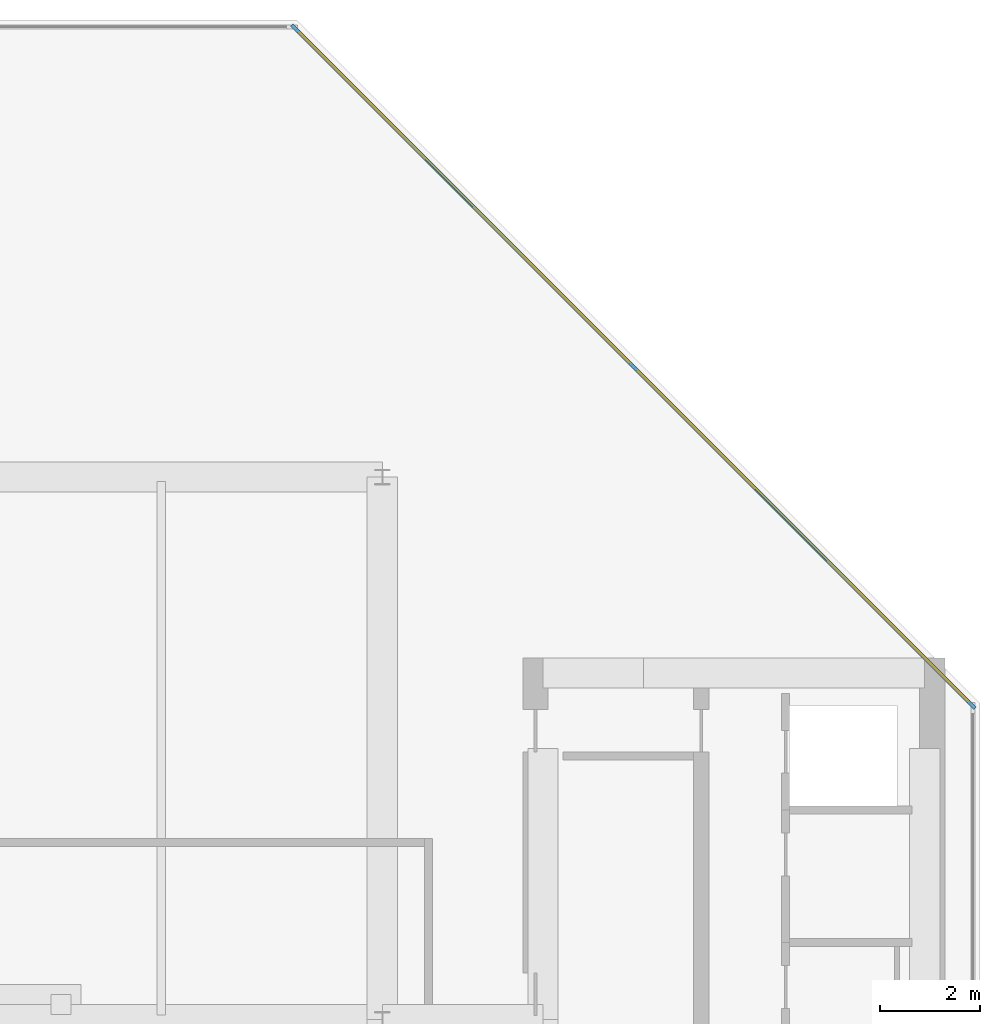
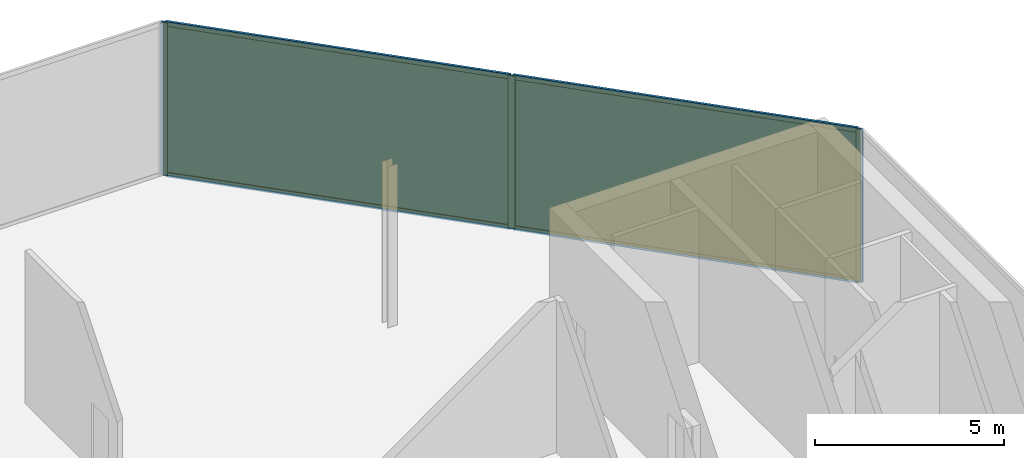
# One storey, part 11 of 14: 7 members, 2 plates, 1 curtain wall.
"""IFC4 building model written with IfcOpenShell, lengths in metres."""

from ifc_helpers import new_model, si_unit, direction, frame, frame_2d, origin, origin_2d, place, context, subcontext, project, spatial, rectangle, extrude, material, layer, layer_set, material_profile, profile_set, type_object, element, aggregate, save


model = new_model("IFC4")

# Units and contexts
model_context = context("Model", 3, precision=1e-05, world=origin(), true_north=direction((0.0, 1.0)))
body_context = subcontext(model_context, "Body", "Model", "MODEL_VIEW")
ifc_project = project(units=[si_unit("LENGTHUNIT", "METRE"), si_unit("AREAUNIT", "SQUARE_METRE"), si_unit("VOLUMEUNIT", "CUBIC_METRE"), si_unit("PLANEANGLEUNIT", "RADIAN"), si_unit("MASSUNIT", "GRAM", prefix="KILO")], contexts=[model_context])

# Member
ifc_material_1 = material(Name="Anodised Bronze Aluminium 6063-T6", Category="aluminium")
ifc_material_profile_1 = material_profile(ifc_material_1, rectangle(XDim=0.070068359375, YDim=0.18994140625, at=origin_2d()))
ifc_profile_set_1 = profile_set([ifc_material_profile_1], Name="Anodised Bronze Aluminium 6063-T6")
member_type_1 = type_object("IfcMemberType", Name="CW-SLC Mullion 70x190", PredefinedType="MULLION", material=ifc_profile_set_1)
site_placement = place(None, origin())
building_placement = place(site_placement, origin())
storey_placement = place(building_placement, frame((0.0, 0.0, 325.199951171875)))
member_1_placement = place(storey_placement, frame((7.466796875, 19.7353515625, 0.0), z_axis=(0.0, 0.0, 1.0), x_axis=(0.707106781187, 0.707106781187, 0.0)))
member_1 = element("IfcMember", 1, at=member_1_placement, type_object=member_type_1, Name="CW-SLC mullion 1", PredefinedType="MULLION", context=body_context, shape_type="SweptSolid", body=[
    extrude(rectangle(XDim=0.070068359375, YDim=0.18994140625, at=origin_2d()), origin(), (0.0, 0.0, 1.0), 4.93994140625),
])

member_2_placement = place(storey_placement, frame((14.200927734375, 13.0009765625, 0.0), z_axis=(0.0, 0.0, 1.0), x_axis=(0.707106781187, 0.707106781187, 0.0)))
member_2 = element("IfcMember", 2, at=member_2_placement, type_object=member_type_1, Name="CW-SLC mullion 2", PredefinedType="MULLION", context=body_context, shape_type="SweptSolid", body=[
    extrude(rectangle(XDim=0.070068359375, YDim=0.18994140625, at=origin_2d()), origin(), (0.0, 0.0, 1.0), 4.93994140625),
])

member_3_placement = place(storey_placement, frame((20.935302734375, 6.266845703125, 0.0), z_axis=(0.0, 0.0, 1.0), x_axis=(0.707106781187, 0.707106781187, 0.0)))
member_3 = element("IfcMember", 3, at=member_3_placement, type_object=member_type_1, Name="CW-SLC mullion 3", PredefinedType="MULLION", context=body_context, shape_type="SweptSolid", body=[
    extrude(rectangle(XDim=0.070068359375, YDim=0.18994140625, at=origin_2d()), origin(), (0.0, 0.0, 1.0), 4.93994140625),
])

ifc_material_2 = material(Name="Anodised Bronze Aluminium 6063-T6", Category="aluminium")
ifc_material_profile_2 = material_profile(ifc_material_2, rectangle(XDim=0.070068359375, YDim=0.14990234375, at=origin_2d()))
ifc_profile_set_2 = profile_set([ifc_material_profile_2], Name="Anodised Bronze Aluminium 6063-T6")
member_type_2 = type_object("IfcMemberType", Name="CW-SLC Transom 70x150", PredefinedType="USERDEFINED", material=ifc_profile_set_2)
member_4_placement = place(storey_placement, frame((7.491455078125, 19.71044921875, 0.03515625), z_axis=(0.707106781187, -0.707106781187, 0.0), x_axis=(0.707106781187, 0.707106781187, 0.0)))
member_4 = element("IfcMember", 4, at=member_4_placement, type_object=member_type_2, Name="CW-SLC transom 1.1", ObjectType="TRANSOM", PredefinedType="USERDEFINED", context=body_context, shape_type="SweptSolid", body=[
    extrude(rectangle(XDim=0.070068359375, YDim=0.14990234375, at=origin_2d()), origin(), (0.0, 0.0, 1.0), 9.453857421875),
])

member_5_placement = place(storey_placement, frame((7.491455078125, 19.71044921875, 4.905029296875), z_axis=(0.707106781187, -0.707106781187, 0.0), x_axis=(0.707106781187, 0.707106781187, 0.0)))
member_5 = element("IfcMember", 5, at=member_5_placement, type_object=member_type_2, Name="CW-SLC transom 1.2", ObjectType="TRANSOM", PredefinedType="USERDEFINED", context=body_context, shape_type="SweptSolid", body=[
    extrude(rectangle(XDim=0.070068359375, YDim=0.14990234375, at=origin_2d()), origin(), (0.0, 0.0, 1.0), 9.453857421875),
])

member_6_placement = place(storey_placement, frame((14.225830078125, 12.976318359375, 0.03515625), z_axis=(0.707093868471, -0.707119693667, 0.0), x_axis=(0.707119693667, 0.707093868471, 0.0)))
member_6 = element("IfcMember", 6, at=member_6_placement, type_object=member_type_2, Name="CW-SLC transom 2.1", ObjectType="TRANSOM", PredefinedType="USERDEFINED", context=body_context, shape_type="SweptSolid", body=[
    extrude(rectangle(XDim=0.070068359375, YDim=0.14990234375, at=origin_2d()), origin(), (0.0, 0.0, 1.0), 9.45361328125),
])

member_7_placement = place(storey_placement, frame((14.225830078125, 12.976318359375, 4.905029296875), z_axis=(0.707093868471, -0.707119693667, 0.0), x_axis=(0.707119693667, 0.707093868471, 0.0)))
member_7 = element("IfcMember", 7, at=member_7_placement, type_object=member_type_2, Name="CW-SLC transom 2.2", ObjectType="TRANSOM", PredefinedType="USERDEFINED", context=body_context, shape_type="SweptSolid", body=[
    extrude(rectangle(XDim=0.070068359375, YDim=0.14990234375, at=origin_2d()), origin(), (0.0, 0.0, 1.0), 9.45361328125),
])

# Plate
ifc_material_3 = material(Name="Low-E Solar Control Laminated Glass", Category="glass")
ifc_layer_1 = layer(ifc_material_3, 0.033935546875, Name="Low-E Solar Control Laminated Glass")
ifc_layer_set_1 = layer_set([ifc_layer_1], Name="Low-E Solar Control Laminated Glass")
plate_type = type_object("IfcPlateType", Name="CW-SLC Low-E Double Glazed Panel 34mm", PredefinedType="CURTAIN_PANEL", material=ifc_layer_set_1)
plate_1_placement = place(storey_placement, frame((10.833984375, 16.3681640625, 0.06982421875), z_axis=(0.0, 0.0, 1.0), x_axis=(0.707106781187, -0.707106781187, 0.0)))
plate_1 = element("IfcPlate", 8, at=plate_1_placement, type_object=plate_type, Name="CW-SLC panel 1.1", PredefinedType="CURTAIN_PANEL", context=body_context, shape_type="SweptSolid", body=[
    extrude(rectangle(XDim=9.45361328125, YDim=0.033935546875, at=origin_2d()), origin(), (0.0, 0.0, 1.0), 4.800048828125),
])

plate_2_placement = place(storey_placement, frame((17.568115234375, 9.6337890625, 0.06982421875), z_axis=(0.0, 0.0, 1.0), x_axis=(0.707106781187, -0.707106781187, 0.0)))
plate_2 = element("IfcPlate", 9, at=plate_2_placement, type_object=plate_type, Name="CW-SLC panel 2.1", PredefinedType="CURTAIN_PANEL", context=body_context, shape_type="SweptSolid", body=[
    extrude(rectangle(XDim=9.45361328125, YDim=0.033935546875, at=origin_2d()), origin(), (0.0, 0.0, 1.0), 4.800048828125),
])

# Site, building, storey
site = spatial("IfcSite", under=ifc_project, at=site_placement, CompositionType="ELEMENT")
building = spatial("IfcBuilding", under=site, at=building_placement, Name="Khairoan Windgate Tower", CompositionType="ELEMENT")
storey = spatial("IfcBuildingStorey", under=building, at=storey_placement, Name="L78", CompositionType="ELEMENT", Elevation=325.199951171875)

# Curtain wall
ifc_material_4 = material(Name="Anodised Bronze Aluminium 6063-T6", Category="aluminium")
ifc_layer_2 = layer(ifc_material_4, 0.18994140625, Name="Anodised Bronze Aluminium 6063-T6")
ifc_layer_set_2 = layer_set([ifc_layer_2], Name="Anodised Bronze Aluminium 6063-T6")
curtain_wall_type = type_object("IfcCurtainWallType", Name="Diagonal Corner-Slice Facet Curtain Wall CW-SLC", PredefinedType="NOTDEFINED", material=ifc_layer_set_2)
curtain_wall_placement = place(storey_placement, frame((7.44189453125, 19.760009765625, 0.0), z_axis=(0.0, 0.0, 1.0), x_axis=(0.707106781187, -0.707106781187, 0.0)))
curtain_wall = element("IfcCurtainWall", 10, at=curtain_wall_placement, inside=storey, type_object=curtain_wall_type, Name="L78 Crystal Slice Curtain Wall 7", PredefinedType="NOTDEFINED", context=body_context, shape_type="SweptSolid", body=[
    extrude(rectangle(XDim=19.117431640625, YDim=0.010009765625, at=frame_2d((9.55859375, 0.0))), origin(), (0.0, 0.0, 1.0), 4.93994140625),
])

aggregate(curtain_wall, [member_1, member_2, member_3, member_4, member_5, plate_1, member_6, member_7, plate_2])

save(model, "model.ifc")
